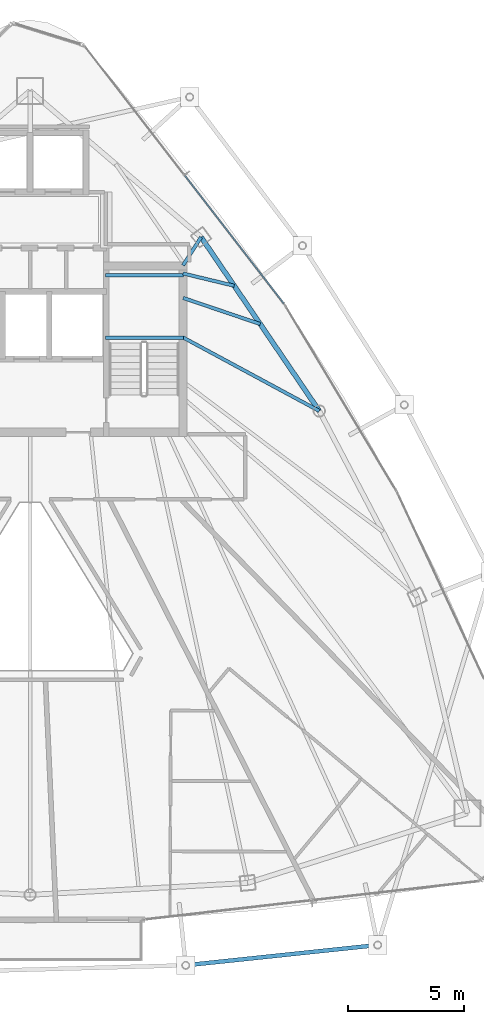
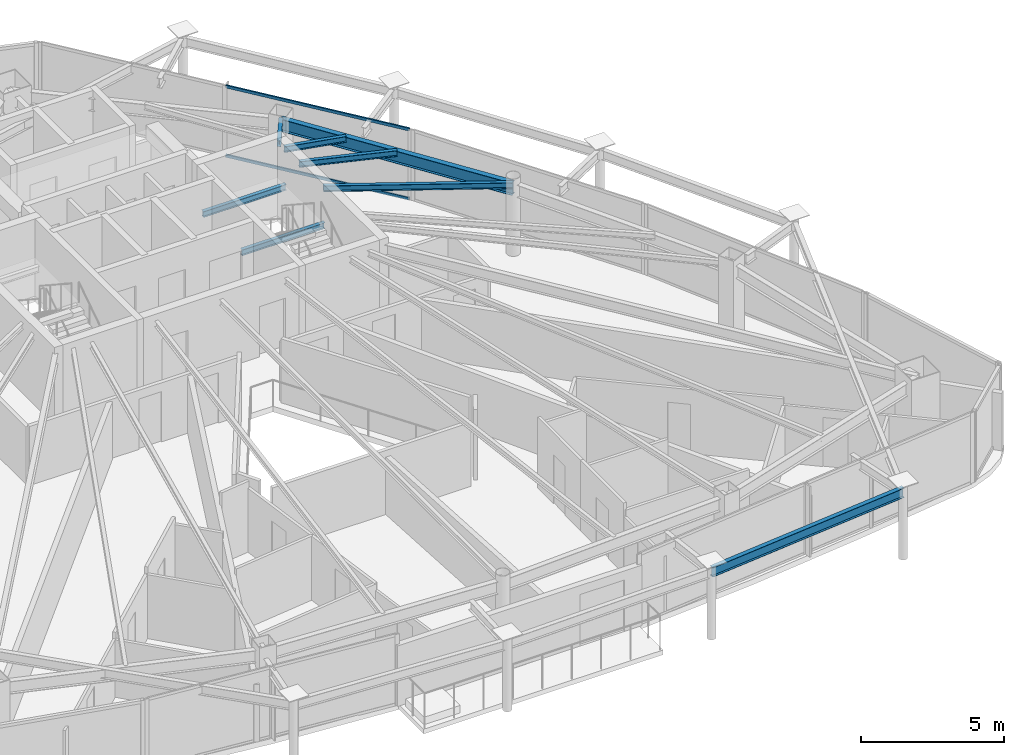
# One storey, part 13 of 30: 8 beams, 2 members, 1 element without a shape of its own.
"""IFC4 building model written with IfcOpenShell, lengths in metres."""

from ifc_helpers import new_model, si_unit, direction, frame, origin, origin_2d, place, context, subcontext, project, spatial, hollow_rectangle, i_section, extrude, material, layer, layer_set, material_profile, profile_set, type_object, element, aggregate, save


model = new_model("IFC4")

# Units and contexts
model_context = context("Model", 3, precision=1e-05, world=origin(), true_north=direction((0.0, 1.0)))
body_context = subcontext(model_context, "Body", "Model", "MODEL_VIEW")
ifc_project = project(units=[si_unit("LENGTHUNIT", "METRE"), si_unit("AREAUNIT", "SQUARE_METRE"), si_unit("VOLUMEUNIT", "CUBIC_METRE"), si_unit("PLANEANGLEUNIT", "RADIAN"), si_unit("MASSUNIT", "GRAM", prefix="KILO")], contexts=[model_context])

# Site, building, storey
site_placement = place(None, origin())
site = spatial("IfcSite", under=ifc_project, at=site_placement, CompositionType="ELEMENT")
building_placement = place(site_placement, origin())
building = spatial("IfcBuilding", under=site, at=building_placement, Name="Orvanel Arch Residences", CompositionType="ELEMENT")
storey_placement = place(building_placement, frame((0.0, 0.0, 273.35009765625)))
storey = spatial("IfcBuildingStorey", under=building, at=storey_placement, Name="L78", CompositionType="ELEMENT", Elevation=273.35009765625)

# Beams
ifc_material_1 = material(Name="Structural steel AS/NZS 3679.1 Grade 300 (300 MPa)", Category="steel")
ifc_material_profile_1 = material_profile(ifc_material_1, i_section(OverallWidth=0.14599609375, OverallDepth=0.251953125, WebThickness=0.006103515625, FlangeThickness=0.008544921875, at=origin_2d()), Name="250UB31.4")
ifc_profile_set_1 = profile_set([ifc_material_profile_1], Name="Structural steel AS/NZS 3679.1 Grade 300 (300 MPa)")
beam_type_1 = type_object("IfcBeamType", Name="BJ-250UB", PredefinedType="JOIST", material=ifc_profile_set_1)
for number, where, z_axis, x_axis, name in (
    (1, (36.25, 30.780029296875, 1.323974609375), (1.0, 0.0, 0.0), (0.0, 1.0, 0.0), "L78 ST-2 Half-Landing Support Beam 1.1"),
    (2, (36.25, 33.47998046875, 1.323974609375), (1.0, 0.0, 0.0), (0.0, 1.0, 0.0), "L78 ST-2 Half-Landing Support Beam 1.2"),
):
    element("IfcBeam", number, at=place(storey_placement, frame(where, z_axis=z_axis, x_axis=x_axis)), inside=storey, type_object=beam_type_1, Name=name, PredefinedType="JOIST", context=body_context, shape_type="SweptSolid", body=[
        extrude(i_section(OverallWidth=0.14599609375, OverallDepth=0.251953125, WebThickness=0.006103515625, FlangeThickness=0.008544921875, at=origin_2d()), origin(), (0.0, 0.0, 1.0), 3.35009765625),
    ])
beam_1_placement = place(storey_placement, frame((39.574951171875, 33.89990234375, 2.893798828125), z_axis=(0.539395075146, 0.842052820735, 0.0), x_axis=(-0.842052820735, 0.539395075146, 0.0)))
element("IfcBeam", 3, at=beam_1_placement, inside=storey, type_object=beam_type_1, Name="L78 NNE Wing Floor Joist", PredefinedType="JOIST", context=body_context, shape_type="SweptSolid", body=[
    extrude(i_section(OverallWidth=0.14599609375, OverallDepth=0.251953125, WebThickness=0.006103515625, FlangeThickness=0.008544921875, at=origin_2d()), origin(), (0.0, 0.0, 1.0), 1.440673828125),
])
beam_2_placement = place(storey_placement, frame((39.574951171875, 30.800048828125, 2.893798828125), z_axis=(0.880111494021, -0.474767056664, 0.0), x_axis=(0.474767056664, 0.880111494021, 0.0)))
element("IfcBeam", 4, at=beam_2_placement, inside=storey, type_object=beam_type_1, Name="L78 NE Wing Floor Joist", PredefinedType="JOIST", context=body_context, shape_type="SweptSolid", body=[
    extrude(i_section(OverallWidth=0.14599609375, OverallDepth=0.251953125, WebThickness=0.006103515625, FlangeThickness=0.008544921875, at=origin_2d()), origin(), (0.0, 0.0, 1.0), 6.653564453125),
])
beam_3_placement = place(storey_placement, frame((39.574951171875, 32.5, 2.893798828125), z_axis=(0.947159269453, -0.320763648641, 0.0), x_axis=(0.320763648641, 0.947159269453, 0.0)))
element("IfcBeam", 5, at=beam_3_placement, inside=storey, type_object=beam_type_1, Name="L78 ENE Wing Floor Joist", PredefinedType="JOIST", context=body_context, shape_type="SweptSolid", body=[
    extrude(i_section(OverallWidth=0.14599609375, OverallDepth=0.251953125, WebThickness=0.006103515625, FlangeThickness=0.008544921875, at=origin_2d()), origin(), (0.0, 0.0, 1.0), 3.501220703125),
])
beam_4_placement = place(storey_placement, frame((39.574951171875, 33.550048828125, 2.893798828125), z_axis=(0.972256833016, -0.23391590509, 0.0), x_axis=(0.23391590509, 0.972256833016, 0.0)))
element("IfcBeam", 6, at=beam_4_placement, inside=storey, type_object=beam_type_1, Name="L78 JADD4 Wing Floor Joist", PredefinedType="JOIST", context=body_context, shape_type="SweptSolid", body=[
    extrude(i_section(OverallWidth=0.14599609375, OverallDepth=0.251953125, WebThickness=0.006103515625, FlangeThickness=0.008544921875, at=origin_2d()), origin(), (0.0, 0.0, 1.0), 2.26171875),
])
ifc_material_profile_2 = material_profile(ifc_material_1, i_section(OverallWidth=0.177978515625, OverallDepth=0.406005859375, WebThickness=0.0078125, FlangeThickness=0.0126953125, at=origin_2d()), Name="410UB59.7")
ifc_profile_set_2 = profile_set([ifc_material_profile_2], Name="Structural steel AS/NZS 3679.1 Grade 300 (300 MPa)")
beam_type_2 = type_object("IfcBeamType", Name="OB-410UB-EXT", PredefinedType="SPANDREL", material=ifc_profile_set_2)
beam_5_placement = place(storey_placement, frame((39.68994140625, 3.81591796875, 2.81689453125), z_axis=(0.994484146315, 0.104886999807, 0.0), x_axis=(-0.104886999807, 0.994484146315, 0.0)))
element("IfcBeam", 7, at=beam_5_placement, inside=storey, type_object=beam_type_2, Name="L78 Outer Perimeter Floor Ring Beam 07", PredefinedType="SPANDREL", context=body_context, shape_type="SweptSolid", body=[
    extrude(i_section(OverallWidth=0.177978515625, OverallDepth=0.406005859375, WebThickness=0.0078125, FlangeThickness=0.0126953125, at=origin_2d()), origin(), (0.0, 0.0, 1.0), 8.295654296875),
])
ifc_material_profile_3 = material_profile(ifc_material_1, i_section(OverallWidth=0.208984375, OverallDepth=0.532958984375, WebThickness=0.01025390625, FlangeThickness=0.015625, at=origin_2d()), Name="530UB92.4")
ifc_profile_set_3 = profile_set([ifc_material_profile_3], Name="Structural steel AS/NZS 3679.1 Grade 300 (300 MPa)")
beam_type_3 = type_object("IfcBeamType", Name="SP-530UB", PredefinedType="SPANDREL", material=ifc_profile_set_3)
beam_6_placement = place(storey_placement, frame((45.430908203125, 27.64111328125, 2.7529296875), z_axis=(-0.562154793153, 0.827032035978, 0.0), x_axis=(-0.827032035978, -0.562154793153, 0.0)))
element("IfcBeam", 8, at=beam_6_placement, inside=storey, type_object=beam_type_3, Name="L78 Perimeter Spandrel Beam 08", PredefinedType="SPANDREL", context=body_context, shape_type="SweptSolid", body=[
    extrude(i_section(OverallWidth=0.208984375, OverallDepth=0.532958984375, WebThickness=0.01025390625, FlangeThickness=0.015625, at=origin_2d()), origin(), (0.0, 0.0, 1.0), 9.03466796875),
])

# Curtain wall, members
ifc_material_2 = material(Name="Bronze-anodised aluminium AA6063-T6", Category="aluminium")
ifc_layer = layer(ifc_material_2, 0.175048828125)
ifc_layer_set = layer_set([ifc_layer], Name="Bronze-anodised aluminium AA6063-T6")
curtain_wall_type = type_object("IfcCurtainWallType", Name="CW4-HI-SYS", PredefinedType="NOTDEFINED", material=ifc_layer_set)
curtain_wall_placement = place(storey_placement, origin())
curtain_wall = element("IfcCurtainWall", 9, at=curtain_wall_placement, inside=storey, type_object=curtain_wall_type, Name="L78 CW4-HI-SYS Unitised Curtain Wall", PredefinedType="NOTDEFINED")
ifc_material_profile_4 = material_profile(ifc_material_2, hollow_rectangle(XDim=0.06005859375, YDim=0.1201171875, WallThickness=0.00341796875, at=origin_2d()), Name="ALU120x60x3.5")
ifc_profile_set_4 = profile_set([ifc_material_profile_4], Name="Bronze-anodised aluminium AA6063-T6")
member_type = type_object("IfcMemberType", Name="TRN-120x60", PredefinedType="USERDEFINED", material=ifc_profile_set_4)
member_1_placement = place(storey_placement, frame((43.904296875, 32.262451171875, 0.02978515625), z_axis=(-0.611807797407, 0.791006459539, 0.0), x_axis=(-0.791006459539, -0.611807797407, 0.0)))
member_1 = element("IfcMember", 10, at=member_1_placement, type_object=member_type, Name="CW-S4 transom 1.1", ObjectType="TRANSOM", PredefinedType="USERDEFINED", context=body_context, shape_type="SweptSolid", body=[
    extrude(hollow_rectangle(XDim=0.06005859375, YDim=0.1201171875, WallThickness=0.00341796875, at=origin_2d()), origin(), (0.0, 0.0, 1.0), 6.94140625),
])
member_2_placement = place(storey_placement, frame((43.904296875, 32.262451171875, 2.989990234375), z_axis=(-0.611807797407, 0.791006459539, 0.0), x_axis=(-0.791006459539, -0.611807797407, 0.0)))
member_2 = element("IfcMember", 11, at=member_2_placement, type_object=member_type, Name="CW-S4 transom 1.2", ObjectType="TRANSOM", PredefinedType="USERDEFINED", context=body_context, shape_type="SweptSolid", body=[
    extrude(hollow_rectangle(XDim=0.06005859375, YDim=0.1201171875, WallThickness=0.00341796875, at=origin_2d()), origin(), (0.0, 0.0, 1.0), 6.94140625),
])
aggregate(curtain_wall, [member_1, member_2])

save(model, "model.ifc")
